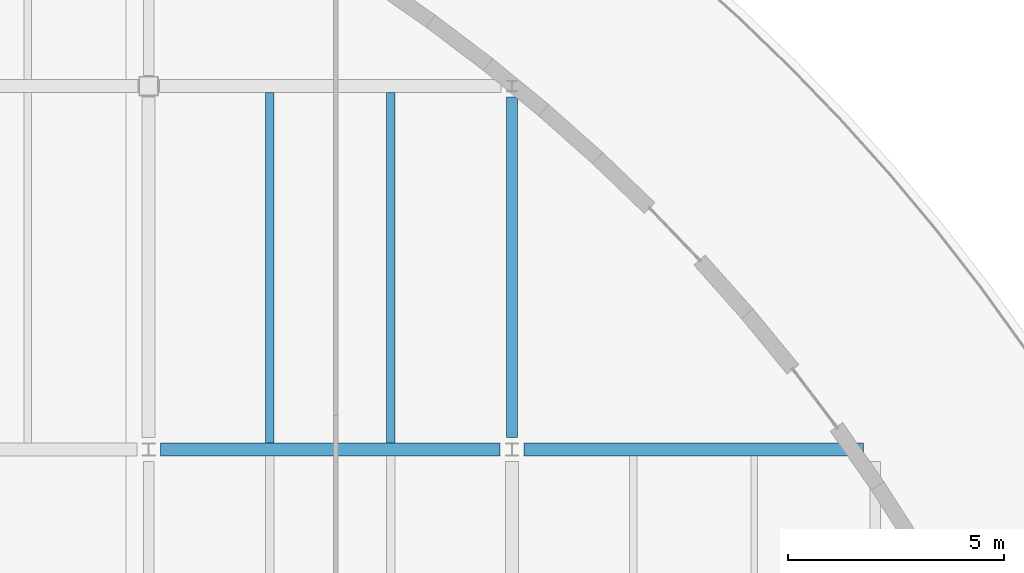
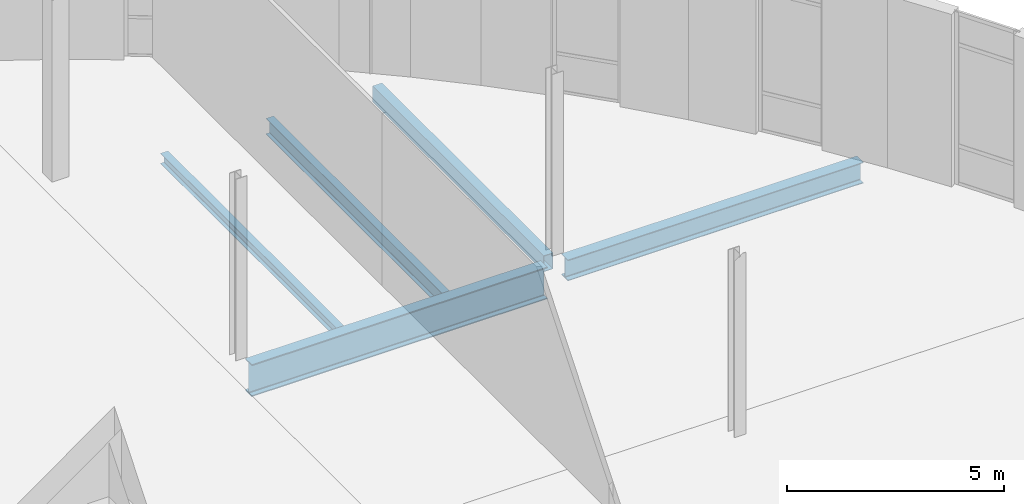
# One storey, part 55 of 91: 5 beams.
"""IFC4 building model written with IfcOpenShell, lengths in metres."""

import ifcopenshell
import ifcopenshell.guid

model = None  # the IFC model being written
_history = None  # IfcOwnerHistory: only IFC2X3 demands one
_inside = {}  # id of a spatial element -> (the spatial element, [elements in it])
_under = {}  # id of a project, library or spatial element -> (it, [spatial elements below it])
_declared = {}  # id of a project -> (the project, [libraries it declares])
_typed = {}  # id of a type object -> (the type object, [elements of that type])
_made_of = {}  # id of a material, layer set ... -> (it, [elements and type objects made of it])


def new_model(schema):
    """Start an empty IFC model of exactly this schema.

    Asked for "IFC4X3", IfcOpenShell would pick the latest addendum, in which some entities
    have other attributes; the version numbers below select the first issue.
    IFC2X3 requires an IfcOwnerHistory on every rooted entity: one is made here for all.
    """
    global model, _history
    if schema == "IFC4X3":
        model = ifcopenshell.file(schema_version=(4, 3, 0, 0))
    else:
        model = ifcopenshell.file(schema=schema)
    _inside.clear()
    _under.clear()
    _declared.clear()
    _typed.clear()
    _made_of.clear()
    _history = None
    if model.schema == "IFC2X3":
        org = make("IfcOrganization", Name="unknown")
        user = make(
            "IfcPersonAndOrganization",
            ThePerson=make("IfcPerson", FamilyName="unknown"),
            TheOrganization=org,
        )
        app = make(
            "IfcApplication",
            ApplicationDeveloper=org,
            Version="unknown",
            ApplicationFullName="unknown",
            ApplicationIdentifier="unknown",
        )
        _history = make(
            "IfcOwnerHistory",
            OwningUser=user,
            OwningApplication=app,
            ChangeAction="ADDED",
            CreationDate=0,
        )
    return model


def make(cls, **values):
    """One entity of the class cls with the attributes given. An attribute that is None is left unset."""
    return model.create_entity(
        cls, **{name: value for name, value in values.items() if value is not None}
    )


def rooted(cls, **values):
    """An entity with a GlobalId (a new one), such as an element, a storey or a relation."""
    return make(cls, GlobalId=ifcopenshell.guid.new(), OwnerHistory=_history, **values)


def si_unit(unit_type, name, prefix=None):
    """IfcSIUnit, for example si_unit("LENGTHUNIT", "METRE", prefix="MILLI")."""
    return make("IfcSIUnit", UnitType=unit_type, Prefix=prefix, Name=name)


def assignment(units):
    """IfcUnitAssignment: the units of a project."""
    return None if units is None else make("IfcUnitAssignment", Units=units)


def point(xyz):
    """IfcCartesianPoint."""
    return None if xyz is None else make("IfcCartesianPoint", Coordinates=xyz)


def direction(xyz):
    """IfcDirection."""
    return None if xyz is None else make("IfcDirection", DirectionRatios=xyz)


def frame(location, z_axis=None, x_axis=None):
    """IfcAxis2Placement3D, a coordinate frame: its origin and axes. An axis left out is left unset."""
    return make(
        "IfcAxis2Placement3D",
        Location=point(location),
        Axis=direction(z_axis),
        RefDirection=direction(x_axis),
    )


def frame_2d(location, x_axis=None):
    """IfcAxis2Placement2D, a coordinate frame in the plane: its origin and x axis."""
    return make(
        "IfcAxis2Placement2D", Location=point(location), RefDirection=direction(x_axis)
    )


def origin():
    """The frame at (0, 0, 0) with its axes left unset."""
    return frame((0.0, 0.0, 0.0))


def origin_2d():
    """The frame at (0, 0) in the plane with its x axis left unset."""
    return frame_2d((0.0, 0.0))


def place(relative_to, where):
    """IfcLocalPlacement: puts the frame where relative to a parent placement (None: the world)."""
    return make(
        "IfcLocalPlacement", PlacementRelTo=relative_to, RelativePlacement=where
    )


def context(
    kind, dimensions, precision=None, world=None, true_north=None, identifier=None
):
    """IfcGeometricRepresentationContext, for example the 3D "Model" context."""
    return make(
        "IfcGeometricRepresentationContext",
        ContextIdentifier=identifier,
        ContextType=kind,
        CoordinateSpaceDimension=dimensions,
        Precision=precision,
        WorldCoordinateSystem=world,
        TrueNorth=true_north,
    )


def subcontext(parent, identifier, kind, view, scale=None):
    """IfcGeometricRepresentationSubContext, for example "Body" below "Model"."""
    return make(
        "IfcGeometricRepresentationSubContext",
        ContextIdentifier=identifier,
        ContextType=kind,
        ParentContext=parent,
        TargetScale=scale,
        TargetView=view,
    )


def project(units=None, contexts=None):
    """IfcProject with its units and contexts."""
    return rooted(
        "IfcProject",
        Name="project",
        RepresentationContexts=contexts,
        UnitsInContext=assignment(units),
    )


def spatial(cls, under=None, at=None, **own):
    """A site, building, storey or space (cls), placed at a placement, below another one or the project."""
    s = rooted(cls, ObjectPlacement=at, **own)
    if under is not None:
        _under.setdefault(under.id(), (under, []))[1].append(s)
    return s


def profile(cls, at=None, kind="AREA", **sizes):
    """A parametric profile (cls). Its sizes go by their IFC names, for example OverallWidth=200.0."""
    return make(cls, ProfileType=kind, Position=at, **sizes)


def hollow_rectangle(**sizes):
    """IfcRectangleHollowProfileDef."""
    return profile("IfcRectangleHollowProfileDef", **sizes)


def i_section(**sizes):
    """IfcIShapeProfileDef."""
    return profile("IfcIShapeProfileDef", **sizes)


def extrude(swept, where, along, depth):
    """IfcExtrudedAreaSolid: the profile swept, set in the frame where, extruded along a direction by depth."""
    return make(
        "IfcExtrudedAreaSolid",
        SweptArea=swept,
        Position=where,
        ExtrudedDirection=direction(along),
        Depth=depth,
    )


def shape(context_of_items, identifier, shape_type, items):
    """IfcShapeRepresentation: the items that make up one representation, for example the "Body"."""
    return make(
        "IfcShapeRepresentation",
        ContextOfItems=context_of_items,
        RepresentationIdentifier=identifier,
        RepresentationType=shape_type,
        Items=items,
    )


def material(Name=None, Category=None):
    """IfcMaterial."""
    return make("IfcMaterial", Name=Name, Category=Category)


def material_profile(
    of_material, cross_section, Name=None, Category=None, Priority=None
):
    """IfcMaterialProfile: a cross section and its material."""
    return make(
        "IfcMaterialProfile",
        Name=Name,
        Material=of_material,
        Profile=cross_section,
        Priority=Priority,
        Category=Category,
    )


def profile_set(profiles, Name=None, composite=None):
    """IfcMaterialProfileSet."""
    return make(
        "IfcMaterialProfileSet",
        Name=Name,
        MaterialProfiles=profiles,
        CompositeProfile=composite,
    )


def made_of(thing, what):
    """Note that an element or type object is made of a material, layer set ...; save() writes the relation."""
    if what is not None:
        _made_of.setdefault(what.id(), (what, []))[1].append(thing)
    return thing


def type_object(cls, material=None, **own):
    """A type object (cls), such as IfcWallType, which elements share."""
    return made_of(rooted(cls, **own), material)


def element(
    cls,
    number,
    at=None,
    inside=None,
    cuts=None,
    type_object=None,
    material=None,
    context=None,
    identifier="Body",
    shape_type=None,
    held_by="IfcProductDefinitionShape",
    body=None,
    shapes=None,
    **own,
):
    """One element of the class cls, such as IfcWall. Its Tag is "e" and its number.

    at: its placement. inside: the storey or other place that contains it. cuts: it is an
    opening in that element (IfcRelVoidsElement). A single representation is given by context,
    identifier, shape_type and body (its items); several are given by shapes. held_by: the class
    of the entity that holds the representations. save() writes the other relations.
    """
    e = rooted(cls, Tag="e%d" % number, ObjectPlacement=at, **own)
    if body is not None:
        shapes = [shape(context, identifier, shape_type, body)]
    if shapes is not None:
        e.Representation = make(held_by, Representations=shapes)
    if inside is not None:
        _inside.setdefault(inside.id(), (inside, []))[1].append(e)
    if cuts is not None:
        rooted(
            "IfcRelVoidsElement", RelatingBuildingElement=cuts, RelatedOpeningElement=e
        )
    if type_object is not None:
        _typed.setdefault(type_object.id(), (type_object, []))[1].append(e)
    return made_of(e, material)


def aggregate(whole, parts):
    """IfcRelAggregates: a whole, such as a stair, and the parts it consists of."""
    return rooted("IfcRelAggregates", RelatingObject=whole, RelatedObjects=parts)


def save(model, path):
    """Write the relations noted so far, then the file.

    IfcRelAggregates (storeys below a building ...), IfcRelContainedInSpatialStructure (elements
    in a storey), IfcRelDefinesByType, IfcRelAssociatesMaterial and IfcRelDeclares: one each for
    every whole, place, type object, material and project.
    """
    for whole, parts in _under.values():
        aggregate(whole, parts)
    for where, things in _inside.values():
        rooted(
            "IfcRelContainedInSpatialStructure",
            RelatedElements=things,
            RelatingStructure=where,
        )
    for kind, things in _typed.values():
        rooted("IfcRelDefinesByType", RelatedObjects=things, RelatingType=kind)
    for what, things in _made_of.values():
        rooted("IfcRelAssociatesMaterial", RelatedObjects=things, RelatingMaterial=what)
    for by, libraries in _declared.values():
        rooted("IfcRelDeclares", RelatingContext=by, RelatedDefinitions=libraries)
    model.write(path)


model = new_model("IFC4")

# Units and contexts
model_context = context("Model", 3, precision=1e-05, world=origin(), true_north=direction((0.0, 1.0)))
body_context = subcontext(model_context, "Body", "Model", "MODEL_VIEW")
ifc_project = project(units=[si_unit("LENGTHUNIT", "METRE"), si_unit("AREAUNIT", "SQUARE_METRE"), si_unit("VOLUMEUNIT", "CUBIC_METRE"), si_unit("PLANEANGLEUNIT", "RADIAN"), si_unit("MASSUNIT", "GRAM", prefix="KILO"), si_unit("THERMODYNAMICTEMPERATUREUNIT", "KELVIN")], contexts=[model_context])

# Site, building, storey
site_placement = place(None, origin())
site = spatial("IfcSite", under=ifc_project, at=site_placement, CompositionType="ELEMENT")
building_placement = place(site_placement, origin())
building = spatial("IfcBuilding", under=site, at=building_placement, Name="Lustrewick Department Store", CompositionType="ELEMENT")
storey_placement = place(building_placement, frame((0.0, 0.0, 21.60009765625)))
storey = spatial("IfcBuildingStorey", under=building, at=storey_placement, Name="L05", CompositionType="ELEMENT", Elevation=21.60009765625)

# Beams
ifc_material_1 = material(Name="Structural steel Q355B", Category="steel")
ifc_material_profile_1 = material_profile(ifc_material_1, i_section(OverallWidth=0.198974609375, OverallDepth=0.446044921875, WebThickness=0.008056640625, FlangeThickness=0.011962890625, FilletRadius=0.01611328125, at=origin_2d()), Name="HN 446x199x8x12")
ifc_profile_set_1 = profile_set([ifc_material_profile_1], Name="Structural steel Q355B")
beam_type_1 = type_object("IfcBeamType", Name="B04", PredefinedType="JOIST", material=ifc_profile_set_1)
beam_1_placement = place(storey_placement, frame((140.0, 84.14990234375, -0.47802734375), z_axis=(0.0, 1.0, 0.0), x_axis=(-1.0, 0.0, 0.0)))
element("IfcBeam", 1, at=beam_1_placement, inside=storey, type_object=beam_type_1, Name="L05 V4 Secondary Joist B04", PredefinedType="JOIST", context=body_context, shape_type="SweptSolid", body=[
    extrude(i_section(OverallWidth=0.198974609375, OverallDepth=0.446044921875, WebThickness=0.008056640625, FlangeThickness=0.011962890625, FilletRadius=0.01611328125, at=origin_2d()), origin(), (0.0, 0.0, 1.0), 8.10009765625),
])
ifc_material_profile_2 = material_profile(ifc_material_1, i_section(OverallWidth=0.199951171875, OverallDepth=0.2939453125, WebThickness=0.008056640625, FlangeThickness=0.011962890625, FilletRadius=0.013916015625, at=origin_2d()), Name="HM 294x200x8x12")
ifc_profile_set_2 = profile_set([ifc_material_profile_2], Name="Structural steel Q355B")
beam_type_2 = type_object("IfcBeamType", Name="B13", PredefinedType="JOIST", material=ifc_profile_set_2)
beam_2_placement = place(storey_placement, frame((137.199951171875, 84.14990234375, -0.402099609375), z_axis=(0.0, 1.0, 0.0), x_axis=(-1.0, 0.0, 0.0)))
element("IfcBeam", 2, at=beam_2_placement, inside=storey, type_object=beam_type_2, Name="L05 V4 Secondary Joist B13", PredefinedType="JOIST", context=body_context, shape_type="SweptSolid", body=[
    extrude(i_section(OverallWidth=0.199951171875, OverallDepth=0.2939453125, WebThickness=0.008056640625, FlangeThickness=0.011962890625, FilletRadius=0.013916015625, at=origin_2d()), origin(), (0.0, 0.0, 1.0), 8.10009765625),
])
ifc_material_2 = material(Name="Structural steel Q355C", Category="steel")
ifc_material_profile_3 = material_profile(ifc_material_2, i_section(OverallWidth=0.300048828125, OverallDepth=0.89990234375, WebThickness=0.01611328125, FlangeThickness=0.028076171875, FilletRadius=0.02392578125, at=origin_2d()), Name="HN 900x300x16x28")
ifc_profile_set_3 = profile_set([ifc_material_profile_3], Name="Structural steel Q355C")
beam_type_3 = type_object("IfcBeamType", Name="G02", PredefinedType="BEAM", material=ifc_profile_set_3)
beam_3_placement = place(storey_placement, frame((134.675048828125, 84.0, -0.705078125), z_axis=(1.0, 0.0, 0.0), x_axis=(0.0, 1.0, 0.0)))
element("IfcBeam", 3, at=beam_3_placement, inside=storey, type_object=beam_type_3, Name="L05 V4 Girder G02", PredefinedType="BEAM", context=body_context, shape_type="SweptSolid", body=[
    extrude(i_section(OverallWidth=0.300048828125, OverallDepth=0.89990234375, WebThickness=0.01611328125, FlangeThickness=0.028076171875, FilletRadius=0.02392578125, at=origin_2d()), origin(), (0.0, 0.0, 1.0), 7.849853515625),
])
ifc_material_profile_4 = material_profile(ifc_material_1, i_section(OverallWidth=0.300048828125, OverallDepth=0.587890625, WebThickness=0.011962890625, FlangeThickness=0.02001953125, FilletRadius=0.02392578125, at=origin_2d()), Name="HM 588x300x12x20")
ifc_profile_set_4 = profile_set([ifc_material_profile_4], Name="Structural steel Q355B")
beam_type_4 = type_object("IfcBeamType", Name="G11", PredefinedType="BEAM", material=ifc_profile_set_4)
beam_4_placement = place(storey_placement, frame((143.074951171875, 84.0, -0.549072265625), z_axis=(1.0, 0.0, 0.0), x_axis=(0.0, 1.0, 0.0)))
element("IfcBeam", 4, at=beam_4_placement, inside=storey, type_object=beam_type_4, Name="L05 V4 Girder G11", PredefinedType="BEAM", context=body_context, shape_type="SweptSolid", body=[
    extrude(i_section(OverallWidth=0.300048828125, OverallDepth=0.587890625, WebThickness=0.011962890625, FlangeThickness=0.02001953125, FilletRadius=0.02392578125, at=origin_2d()), origin(), (0.0, 0.0, 1.0), 7.85009765625),
])
ifc_material_profile_5 = material_profile(ifc_material_2, hollow_rectangle(XDim=0.25, YDim=0.449951171875, WallThickness=0.013916015625, at=origin_2d()), Name="RHS 450x250x14")
ifc_profile_set_5 = profile_set([ifc_material_profile_5], Name="Structural steel Q355C")
beam_type_5 = type_object("IfcBeamType", Name="G18", PredefinedType="BEAM", material=ifc_profile_set_5)
beam_5_placement = place(storey_placement, frame((142.800048828125, 84.27490234375, -0.47998046875), z_axis=(0.0, 1.0, 0.0), x_axis=(-1.0, 0.0, 0.0)))
element("IfcBeam", 5, at=beam_5_placement, inside=storey, type_object=beam_type_5, Name="L05 V4 Girder G18", PredefinedType="BEAM", context=body_context, shape_type="SweptSolid", body=[
    extrude(hollow_rectangle(XDim=0.25, YDim=0.449951171875, WallThickness=0.013916015625, at=origin_2d()), origin(), (0.0, 0.0, 1.0), 7.875),
])

save(model, "model.ifc")
